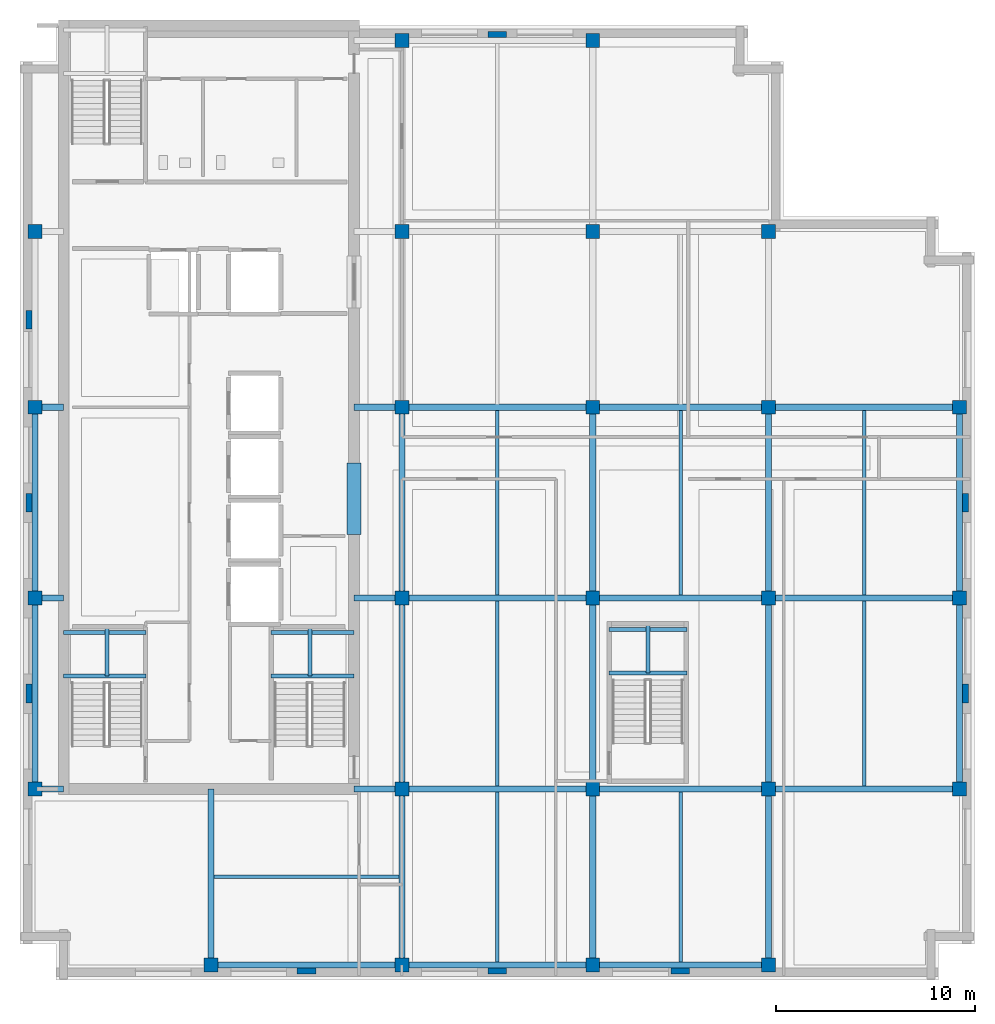
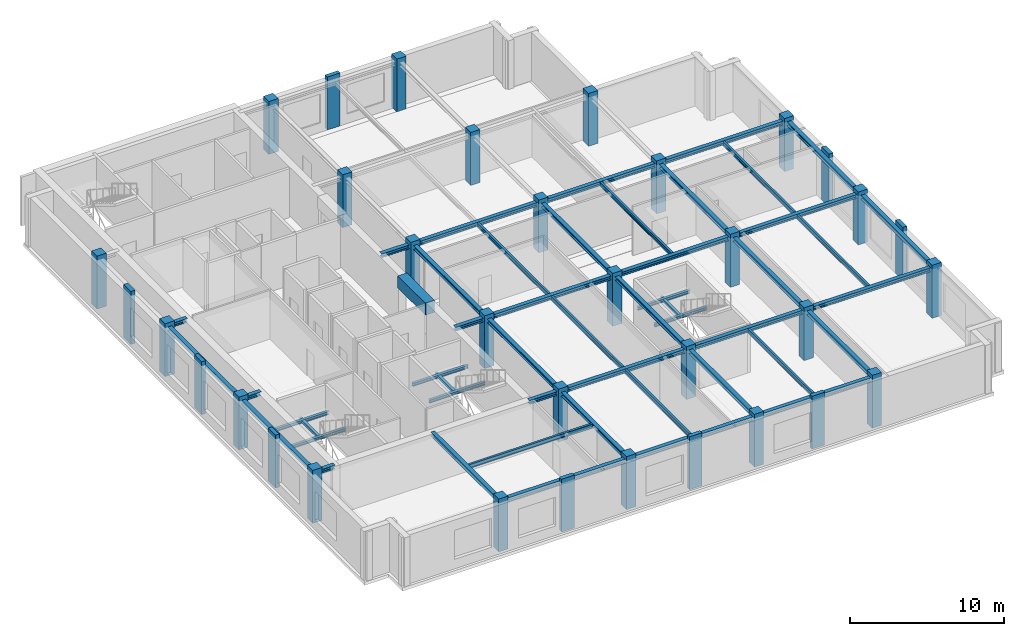
# One storey, part 1 of 10: 50 beams, 34 columns.
"""IFC4 building model written with IfcOpenShell, lengths in metres."""

from ifc_helpers import new_model, si_unit, direction, frame, origin, origin_2d, place, context, subcontext, project, spatial, rectangle, i_section, extrude, material, material_profile, profile_set, type_object, element, save


model = new_model("IFC4")

# Units and contexts
model_context = context("Model", 3, precision=1e-05, world=origin(), true_north=direction((0.0, 1.0)))
body_context = subcontext(model_context, "Body", "Model", "MODEL_VIEW")
ifc_project = project(units=[si_unit("LENGTHUNIT", "METRE"), si_unit("AREAUNIT", "SQUARE_METRE"), si_unit("VOLUMEUNIT", "CUBIC_METRE"), si_unit("PLANEANGLEUNIT", "RADIAN"), si_unit("MASSUNIT", "GRAM", prefix="KILO")], contexts=[model_context])

# Site, building, storey
site_placement = place(None, origin())
site = spatial("IfcSite", under=ifc_project, at=site_placement, CompositionType="ELEMENT")
building_placement = place(site_placement, origin())
building = spatial("IfcBuilding", under=site, at=building_placement, Name="Norrvale University Quadrangle", CompositionType="ELEMENT")
storey_placement = place(building_placement, frame((0.0, 0.0, 303.800048828125)))
storey = spatial("IfcBuildingStorey", under=building, at=storey_placement, Name="L77", CompositionType="ELEMENT", Elevation=303.800048828125)

# Columns
ifc_material_1 = material(Name="Red Manganese Brick Concrete C60/75", Category="concrete")
ifc_material_profile_1 = material_profile(ifc_material_1, rectangle(XDim=0.949951171875, YDim=0.300048828125, at=origin_2d()), Name="Red Manganese Brick Concrete C60/75")
ifc_profile_set_1 = profile_set([ifc_material_profile_1], Name="Red Manganese Brick Concrete C60/75")
column_type_1 = type_object("IfcColumnType", Name="Column Brick Pier 950x300", PredefinedType="PILASTER", material=ifc_profile_set_1)
for number, where, z_axis, x_axis, name in (
    (1, (0.449951171875, 14.39990234375, 0.0), (0.0, 0.0, 1.0), (0.0, 1.0, 0.0), "Exterior Brick Facade Pilaster L77-01"),
    (2, (0.449951171875, 24.0, 0.0), (0.0, 0.0, 1.0), (0.0, 1.0, 0.0), "Exterior Brick Facade Pilaster L77-02"),
    (3, (0.449951171875, 33.199951171875, 0.0), (0.0, 0.0, 1.0), (0.0, 1.0, 0.0), "Exterior Brick Facade Pilaster L77-03"),
    (4, (14.39990234375, 0.449951171875, 0.0), (0.0, 0.0, 1.0), (1.0, 0.0, 0.0), "Exterior Brick Facade Pilaster L77-04"),
    (5, (24.0, 0.449951171875, 0.0), (0.0, 0.0, 1.0), (1.0, 0.0, 0.0), "Exterior Brick Facade Pilaster L77-05"),
    (6, (33.199951171875, 0.449951171875, 0.0), (0.0, 0.0, 1.0), (1.0, 0.0, 0.0), "Exterior Brick Facade Pilaster L77-06"),
    (7, (47.550048828125, 14.39990234375, 0.0), (0.0, 0.0, 1.0), (0.0, 1.0, 0.0), "Exterior Brick Facade Pilaster L77-07"),
    (8, (47.550048828125, 24.0, 0.0), (0.0, 0.0, 1.0), (0.0, 1.0, 0.0), "Exterior Brick Facade Pilaster L77-08"),
    (9, (24.0, 47.550048828125, 0.0), (0.0, 0.0, 1.0), (1.0, 0.0, 0.0), "Exterior Brick Facade Pilaster L77-09"),
):
    element("IfcColumn", number, at=place(storey_placement, frame(where, z_axis=z_axis, x_axis=x_axis)), inside=storey, type_object=column_type_1, Name=name, PredefinedType="PILASTER", context=body_context, shape_type="SweptSolid", body=[
        extrude(rectangle(XDim=0.949951171875, YDim=0.300048828125, at=origin_2d()), origin(), (0.0, 0.0, 1.0), 4.199951171875),
    ])
ifc_material_2 = material(Name="Concrete C60/75", Category="concrete")
ifc_material_profile_2 = material_profile(ifc_material_2, rectangle(XDim=0.699951171875, YDim=0.699951171875, at=origin_2d()), Name="Concrete C60/75")
ifc_profile_set_2 = profile_set([ifc_material_profile_2], Name="Concrete C60/75")
column_type_2 = type_object("IfcColumnType", Name="Column Tower Z4 700x700", PredefinedType="COLUMN", material=ifc_profile_set_2)
for number, where, z_axis, x_axis, name in (
    (10, (0.75, 9.60009765625, 0.0), (0.0, 0.0, 1.0), (1.0, 0.0, 0.0), "Tower Column L77-T01"),
    (11, (0.75, 19.199951171875, 0.0), (0.0, 0.0, 1.0), (1.0, 0.0, 0.0), "Tower Column L77-T02"),
    (12, (0.75, 28.800048828125, 0.0), (0.0, 0.0, 1.0), (1.0, 0.0, 0.0), "Tower Column L77-T03"),
    (13, (0.75, 37.64990234375, 0.0), (0.0, 0.0, 1.0), (1.0, 0.0, 0.0), "Tower Column L77-T04"),
    (14, (9.60009765625, 0.75, 0.0), (0.0, 0.0, 1.0), (1.0, 0.0, 0.0), "Tower Column L77-T05"),
    (15, (19.199951171875, 0.75, 0.0), (0.0, 0.0, 1.0), (1.0, 0.0, 0.0), "Tower Column L77-T06"),
    (16, (19.199951171875, 9.60009765625, 0.0), (0.0, 0.0, 1.0), (1.0, 0.0, 0.0), "Tower Column L77-T07"),
    (17, (19.199951171875, 19.199951171875, 0.0), (0.0, 0.0, 1.0), (1.0, 0.0, 0.0), "Tower Column L77-T08"),
    (18, (19.199951171875, 28.800048828125, 0.0), (0.0, 0.0, 1.0), (1.0, 0.0, 0.0), "Tower Column L77-T09"),
    (19, (19.199951171875, 37.64990234375, 0.0), (0.0, 0.0, 1.0), (1.0, 0.0, 0.0), "Tower Column L77-T10"),
    (20, (19.199951171875, 47.25, 0.0), (0.0, 0.0, 1.0), (1.0, 0.0, 0.0), "Tower Column L77-T11"),
    (21, (28.800048828125, 0.75, 0.0), (0.0, 0.0, 1.0), (1.0, 0.0, 0.0), "Tower Column L77-T12"),
    (22, (28.800048828125, 9.60009765625, 0.0), (0.0, 0.0, 1.0), (1.0, 0.0, 0.0), "Tower Column L77-T13"),
    (23, (28.800048828125, 19.199951171875, 0.0), (0.0, 0.0, 1.0), (1.0, 0.0, 0.0), "Tower Column L77-T14"),
    (24, (28.800048828125, 28.800048828125, 0.0), (0.0, 0.0, 1.0), (1.0, 0.0, 0.0), "Tower Column L77-T15"),
    (25, (28.800048828125, 37.64990234375, 0.0), (0.0, 0.0, 1.0), (1.0, 0.0, 0.0), "Tower Column L77-T16"),
    (26, (28.800048828125, 47.25, 0.0), (0.0, 0.0, 1.0), (1.0, 0.0, 0.0), "Tower Column L77-T17"),
    (27, (37.64990234375, 0.75, 0.0), (0.0, 0.0, 1.0), (1.0, 0.0, 0.0), "Tower Column L77-T18"),
    (28, (37.64990234375, 9.60009765625, 0.0), (0.0, 0.0, 1.0), (1.0, 0.0, 0.0), "Tower Column L77-T19"),
    (29, (37.64990234375, 19.199951171875, 0.0), (0.0, 0.0, 1.0), (1.0, 0.0, 0.0), "Tower Column L77-T20"),
    (30, (37.64990234375, 28.800048828125, 0.0), (0.0, 0.0, 1.0), (1.0, 0.0, 0.0), "Tower Column L77-T21"),
    (31, (37.64990234375, 37.64990234375, 0.0), (0.0, 0.0, 1.0), (1.0, 0.0, 0.0), "Tower Column L77-T22"),
    (32, (47.25, 9.60009765625, 0.0), (0.0, 0.0, 1.0), (1.0, 0.0, 0.0), "Tower Column L77-T23"),
    (33, (47.25, 19.199951171875, 0.0), (0.0, 0.0, 1.0), (1.0, 0.0, 0.0), "Tower Column L77-T24"),
    (34, (47.25, 28.800048828125, 0.0), (0.0, 0.0, 1.0), (1.0, 0.0, 0.0), "Tower Column L77-T25"),
):
    element("IfcColumn", number, at=place(storey_placement, frame(where, z_axis=z_axis, x_axis=x_axis)), inside=storey, type_object=column_type_2, Name=name, PredefinedType="COLUMN", context=body_context, shape_type="SweptSolid", body=[
        extrude(rectangle(XDim=0.699951171875, YDim=0.699951171875, at=origin_2d()), origin(), (0.0, 0.0, 1.0), 4.199951171875),
    ])

# Beams
ifc_material_3 = material(Name="Steel 350W", Category="steel")
ifc_material_profile_3 = material_profile(ifc_material_3, i_section(OverallWidth=0.1669921875, OverallDepth=0.31689453125, WebThickness=0.007568359375, FlangeThickness=0.01318359375, FilletRadius=0.010009765625, at=origin_2d()), Name="Steel 350W")
ifc_profile_set_3 = profile_set([ifc_material_profile_3], Name="Steel 350W")
beam_type_1 = type_object("IfcBeamType", Name="Beam Canopy Purlin W310x52", PredefinedType="USERDEFINED", material=ifc_profile_set_3)
beam_1_placement = place(storey_placement, frame((24.0, 0.902587890625, 3.721435546875), z_axis=(0.0, 1.0, 0.0), x_axis=(-1.0, 0.0, 0.0)))
element("IfcBeam", 35, at=beam_1_placement, inside=storey, type_object=beam_type_1, Name="Beam Canopy Purlin W310x52 BM-L77-J044", ObjectType="PURLIN", PredefinedType="USERDEFINED", context=body_context, shape_type="SweptSolid", body=[
    extrude(i_section(OverallWidth=0.1669921875, OverallDepth=0.31689453125, WebThickness=0.007568359375, FlangeThickness=0.01318359375, FilletRadius=0.010009765625, at=origin_2d()), origin(), (0.0, 0.0, 1.0), 8.544921875),
])
beam_2_placement = place(storey_placement, frame((24.0, 9.75244140625, 3.721435546875), z_axis=(0.0, 1.0, 0.0), x_axis=(-1.0, 0.0, 0.0)))
element("IfcBeam", 36, at=beam_2_placement, inside=storey, type_object=beam_type_1, Name="Beam Canopy Purlin W310x52 BM-L77-J045", ObjectType="PURLIN", PredefinedType="USERDEFINED", context=body_context, shape_type="SweptSolid", body=[
    extrude(i_section(OverallWidth=0.1669921875, OverallDepth=0.31689453125, WebThickness=0.007568359375, FlangeThickness=0.01318359375, FilletRadius=0.010009765625, at=origin_2d()), origin(), (0.0, 0.0, 1.0), 9.295166015625),
])
beam_3_placement = place(storey_placement, frame((24.0, 19.3525390625, 3.721435546875), z_axis=(0.0, 1.0, 0.0), x_axis=(-1.0, 0.0, 0.0)))
element("IfcBeam", 37, at=beam_3_placement, inside=storey, type_object=beam_type_1, Name="Beam Canopy Purlin W310x52 BM-L77-J046", ObjectType="PURLIN", PredefinedType="USERDEFINED", context=body_context, shape_type="SweptSolid", body=[
    extrude(i_section(OverallWidth=0.1669921875, OverallDepth=0.31689453125, WebThickness=0.007568359375, FlangeThickness=0.01318359375, FilletRadius=0.010009765625, at=origin_2d()), origin(), (0.0, 0.0, 1.0), 9.294921875),
])
beam_4_placement = place(storey_placement, frame((33.22509765625, 0.902587890625, 3.721435546875), z_axis=(0.0, 1.0, 0.0), x_axis=(-1.0, 0.0, 0.0)))
element("IfcBeam", 38, at=beam_4_placement, inside=storey, type_object=beam_type_1, Name="Beam Canopy Purlin W310x52 BM-L77-J049", ObjectType="PURLIN", PredefinedType="USERDEFINED", context=body_context, shape_type="SweptSolid", body=[
    extrude(i_section(OverallWidth=0.1669921875, OverallDepth=0.31689453125, WebThickness=0.007568359375, FlangeThickness=0.01318359375, FilletRadius=0.010009765625, at=origin_2d()), origin(), (0.0, 0.0, 1.0), 8.544921875),
])
beam_5_placement = place(storey_placement, frame((33.22509765625, 19.3525390625, 3.721435546875), z_axis=(0.0, 1.0, 0.0), x_axis=(-1.0, 0.0, 0.0)))
element("IfcBeam", 39, at=beam_5_placement, inside=storey, type_object=beam_type_1, Name="Beam Canopy Purlin W310x52 BM-L77-J050", ObjectType="PURLIN", PredefinedType="USERDEFINED", context=body_context, shape_type="SweptSolid", body=[
    extrude(i_section(OverallWidth=0.1669921875, OverallDepth=0.31689453125, WebThickness=0.007568359375, FlangeThickness=0.01318359375, FilletRadius=0.010009765625, at=origin_2d()), origin(), (0.0, 0.0, 1.0), 9.294921875),
])
beam_6_placement = place(storey_placement, frame((42.449951171875, 9.75244140625, 3.721435546875), z_axis=(0.0, 1.0, 0.0), x_axis=(-1.0, 0.0, 0.0)))
element("IfcBeam", 40, at=beam_6_placement, inside=storey, type_object=beam_type_1, Name="Beam Canopy Purlin W310x52 BM-L77-J052", ObjectType="PURLIN", PredefinedType="USERDEFINED", context=body_context, shape_type="SweptSolid", body=[
    extrude(i_section(OverallWidth=0.1669921875, OverallDepth=0.31689453125, WebThickness=0.007568359375, FlangeThickness=0.01318359375, FilletRadius=0.010009765625, at=origin_2d()), origin(), (0.0, 0.0, 1.0), 9.295166015625),
])
beam_7_placement = place(storey_placement, frame((42.449951171875, 19.3525390625, 3.721435546875), z_axis=(0.0, 1.0, 0.0), x_axis=(-1.0, 0.0, 0.0)))
element("IfcBeam", 41, at=beam_7_placement, inside=storey, type_object=beam_type_1, Name="Beam Canopy Purlin W310x52 BM-L77-J053", ObjectType="PURLIN", PredefinedType="USERDEFINED", context=body_context, shape_type="SweptSolid", body=[
    extrude(i_section(OverallWidth=0.1669921875, OverallDepth=0.31689453125, WebThickness=0.007568359375, FlangeThickness=0.01318359375, FilletRadius=0.010009765625, at=origin_2d()), origin(), (0.0, 0.0, 1.0), 9.294921875),
])
beam_8_placement = place(storey_placement, frame((9.75244140625, 5.199951171875, 3.721435546875), z_axis=(1.0, 0.0, 0.0), x_axis=(0.0, 1.0, 0.0)))
element("IfcBeam", 42, at=beam_8_placement, inside=storey, type_object=beam_type_1, Name="Beam Canopy Purlin W310x52 BM-L77-JCS055", ObjectType="PURLIN", PredefinedType="USERDEFINED", context=body_context, shape_type="SweptSolid", body=[
    extrude(i_section(OverallWidth=0.1669921875, OverallDepth=0.31689453125, WebThickness=0.007568359375, FlangeThickness=0.01318359375, FilletRadius=0.010009765625, at=origin_2d()), origin(), (0.0, 0.0, 1.0), 9.295166015625),
])
ifc_material_profile_4 = material_profile(ifc_material_3, i_section(OverallWidth=0.304931640625, OverallDepth=0.30810546875, WebThickness=0.010009765625, FlangeThickness=0.015380859375, FilletRadius=0.014892578125, at=origin_2d()), Name="Steel 350W")
ifc_profile_set_4 = profile_set([ifc_material_profile_4], Name="Steel 350W")
beam_type_2 = type_object("IfcBeamType", Name="Beam Canopy W310x97", PredefinedType="BEAM", material=ifc_profile_set_4)
beam_9_placement = place(storey_placement, frame((9.60009765625, 0.75, 3.725830078125), z_axis=(1.0, 0.0, 0.0), x_axis=(0.0, 1.0, 0.0)))
element("IfcBeam", 43, at=beam_9_placement, inside=storey, type_object=beam_type_2, Name="Beam Canopy W310x97 BM-L77-GX001", PredefinedType="BEAM", context=body_context, shape_type="SweptSolid", body=[
    extrude(i_section(OverallWidth=0.304931640625, OverallDepth=0.30810546875, WebThickness=0.010009765625, FlangeThickness=0.015380859375, FilletRadius=0.014892578125, at=origin_2d()), origin(), (0.0, 0.0, 1.0), 9.599853515625),
])
beam_10_placement = place(storey_placement, frame((19.199951171875, 0.75, 3.725830078125), z_axis=(1.0, 0.0, 0.0), x_axis=(0.0, 1.0, 0.0)))
element("IfcBeam", 44, at=beam_10_placement, inside=storey, type_object=beam_type_2, Name="Beam Canopy W310x97 BM-L77-GX002", PredefinedType="BEAM", context=body_context, shape_type="SweptSolid", body=[
    extrude(i_section(OverallWidth=0.304931640625, OverallDepth=0.30810546875, WebThickness=0.010009765625, FlangeThickness=0.015380859375, FilletRadius=0.014892578125, at=origin_2d()), origin(), (0.0, 0.0, 1.0), 9.60009765625),
])
beam_11_placement = place(storey_placement, frame((28.800048828125, 0.75, 3.725830078125), z_axis=(1.0, 0.0, 0.0), x_axis=(0.0, 1.0, 0.0)))
element("IfcBeam", 45, at=beam_11_placement, inside=storey, type_object=beam_type_2, Name="Beam Canopy W310x97 BM-L77-GX003", PredefinedType="BEAM", context=body_context, shape_type="SweptSolid", body=[
    extrude(i_section(OverallWidth=0.304931640625, OverallDepth=0.30810546875, WebThickness=0.010009765625, FlangeThickness=0.015380859375, FilletRadius=0.014892578125, at=origin_2d()), origin(), (0.0, 0.0, 1.0), 8.849853515625),
])
beam_12_placement = place(storey_placement, frame((19.199951171875, 9.60009765625, 3.725830078125), z_axis=(1.0, 0.0, 0.0), x_axis=(0.0, 1.0, 0.0)))
element("IfcBeam", 46, at=beam_12_placement, inside=storey, type_object=beam_type_2, Name="Beam Canopy W310x97 BM-L77-GX004", PredefinedType="BEAM", context=body_context, shape_type="SweptSolid", body=[
    extrude(i_section(OverallWidth=0.304931640625, OverallDepth=0.30810546875, WebThickness=0.010009765625, FlangeThickness=0.015380859375, FilletRadius=0.014892578125, at=origin_2d()), origin(), (0.0, 0.0, 1.0), 9.60009765625),
])
beam_13_placement = place(storey_placement, frame((28.800048828125, 9.60009765625, 3.725830078125), z_axis=(1.0, 0.0, 0.0), x_axis=(0.0, 1.0, 0.0)))
element("IfcBeam", 47, at=beam_13_placement, inside=storey, type_object=beam_type_2, Name="Beam Canopy W310x97 BM-L77-GX005", PredefinedType="BEAM", context=body_context, shape_type="SweptSolid", body=[
    extrude(i_section(OverallWidth=0.304931640625, OverallDepth=0.30810546875, WebThickness=0.010009765625, FlangeThickness=0.015380859375, FilletRadius=0.014892578125, at=origin_2d()), origin(), (0.0, 0.0, 1.0), 8.849853515625),
])
for number, where, z_axis, x_axis, name in (
    (48, (37.64990234375, 9.60009765625, 3.725830078125), (1.0, 0.0, 0.0), (0.0, 1.0, 0.0), "Beam Canopy W310x97 BM-L77-GX006"),
    (49, (19.199951171875, 19.199951171875, 3.725830078125), (1.0, 0.0, 0.0), (0.0, 1.0, 0.0), "Beam Canopy W310x97 BM-L77-GX007"),
):
    element("IfcBeam", number, at=place(storey_placement, frame(where, z_axis=z_axis, x_axis=x_axis)), inside=storey, type_object=beam_type_2, Name=name, PredefinedType="BEAM", context=body_context, shape_type="SweptSolid", body=[
        extrude(i_section(OverallWidth=0.304931640625, OverallDepth=0.30810546875, WebThickness=0.010009765625, FlangeThickness=0.015380859375, FilletRadius=0.014892578125, at=origin_2d()), origin(), (0.0, 0.0, 1.0), 9.60009765625),
    ])
beam_14_placement = place(storey_placement, frame((28.800048828125, 19.199951171875, 3.725830078125), z_axis=(1.0, 0.0, 0.0), x_axis=(0.0, 1.0, 0.0)))
element("IfcBeam", 50, at=beam_14_placement, inside=storey, type_object=beam_type_2, Name="Beam Canopy W310x97 BM-L77-GX008", PredefinedType="BEAM", context=body_context, shape_type="SweptSolid", body=[
    extrude(i_section(OverallWidth=0.304931640625, OverallDepth=0.30810546875, WebThickness=0.010009765625, FlangeThickness=0.015380859375, FilletRadius=0.014892578125, at=origin_2d()), origin(), (0.0, 0.0, 1.0), 8.849853515625),
])
for number, where, z_axis, x_axis, name in (
    (51, (37.64990234375, 19.199951171875, 3.725830078125), (1.0, 0.0, 0.0), (0.0, 1.0, 0.0), "Beam Canopy W310x97 BM-L77-GX009"),
    (52, (19.199951171875, 28.800048828125, 3.725830078125), (1.0, 0.0, 0.0), (0.0, 1.0, 0.0), "Beam Canopy W310x97 BM-L77-GX010"),
):
    element("IfcBeam", number, at=place(storey_placement, frame(where, z_axis=z_axis, x_axis=x_axis)), inside=storey, type_object=beam_type_2, Name=name, PredefinedType="BEAM", context=body_context, shape_type="SweptSolid", body=[
        extrude(i_section(OverallWidth=0.304931640625, OverallDepth=0.30810546875, WebThickness=0.010009765625, FlangeThickness=0.015380859375, FilletRadius=0.014892578125, at=origin_2d()), origin(), (0.0, 0.0, 1.0), 9.60009765625),
    ])
beam_15_placement = place(storey_placement, frame((28.800048828125, 28.800048828125, 3.725830078125), z_axis=(1.0, 0.0, 0.0), x_axis=(0.0, 1.0, 0.0)))
element("IfcBeam", 53, at=beam_15_placement, inside=storey, type_object=beam_type_2, Name="Beam Canopy W310x97 BM-L77-GX011", PredefinedType="BEAM", context=body_context, shape_type="SweptSolid", body=[
    extrude(i_section(OverallWidth=0.304931640625, OverallDepth=0.30810546875, WebThickness=0.010009765625, FlangeThickness=0.015380859375, FilletRadius=0.014892578125, at=origin_2d()), origin(), (0.0, 0.0, 1.0), 8.849853515625),
])
beam_16_placement = place(storey_placement, frame((37.64990234375, 28.800048828125, 3.725830078125), z_axis=(1.0, 0.0, 0.0), x_axis=(0.0, 1.0, 0.0)))
element("IfcBeam", 54, at=beam_16_placement, inside=storey, type_object=beam_type_2, Name="Beam Canopy W310x97 BM-L77-GX012", PredefinedType="BEAM", context=body_context, shape_type="SweptSolid", body=[
    extrude(i_section(OverallWidth=0.304931640625, OverallDepth=0.30810546875, WebThickness=0.010009765625, FlangeThickness=0.015380859375, FilletRadius=0.014892578125, at=origin_2d()), origin(), (0.0, 0.0, 1.0), 9.60009765625),
])
beam_17_placement = place(storey_placement, frame((0.75, 9.60009765625, 3.725830078125), z_axis=(0.0, 1.0, 0.0), x_axis=(-1.0, 0.0, 0.0)))
element("IfcBeam", 55, at=beam_17_placement, inside=storey, type_object=beam_type_2, Name="Beam Canopy W310x97 BM-L77-GY016", PredefinedType="BEAM", context=body_context, shape_type="SweptSolid", body=[
    extrude(i_section(OverallWidth=0.304931640625, OverallDepth=0.30810546875, WebThickness=0.010009765625, FlangeThickness=0.015380859375, FilletRadius=0.014892578125, at=origin_2d()), origin(), (0.0, 0.0, 1.0), 9.599853515625),
])
beam_18_placement = place(storey_placement, frame((0.75, 19.199951171875, 3.725830078125), z_axis=(0.0, 1.0, 0.0), x_axis=(-1.0, 0.0, 0.0)))
element("IfcBeam", 56, at=beam_18_placement, inside=storey, type_object=beam_type_2, Name="Beam Canopy W310x97 BM-L77-GY017", PredefinedType="BEAM", context=body_context, shape_type="SweptSolid", body=[
    extrude(i_section(OverallWidth=0.304931640625, OverallDepth=0.30810546875, WebThickness=0.010009765625, FlangeThickness=0.015380859375, FilletRadius=0.014892578125, at=origin_2d()), origin(), (0.0, 0.0, 1.0), 9.60009765625),
])
beam_19_placement = place(storey_placement, frame((19.199951171875, 0.75, 3.725830078125), z_axis=(0.0, 1.0, 0.0), x_axis=(-1.0, 0.0, 0.0)))
element("IfcBeam", 57, at=beam_19_placement, inside=storey, type_object=beam_type_2, Name="Beam Canopy W310x97 BM-L77-GY019", PredefinedType="BEAM", context=body_context, shape_type="SweptSolid", body=[
    extrude(i_section(OverallWidth=0.304931640625, OverallDepth=0.30810546875, WebThickness=0.010009765625, FlangeThickness=0.015380859375, FilletRadius=0.014892578125, at=origin_2d()), origin(), (0.0, 0.0, 1.0), 8.85009765625),
])
beam_20_placement = place(storey_placement, frame((19.199951171875, 9.60009765625, 3.725830078125), z_axis=(0.0, 1.0, 0.0), x_axis=(-1.0, 0.0, 0.0)))
element("IfcBeam", 58, at=beam_20_placement, inside=storey, type_object=beam_type_2, Name="Beam Canopy W310x97 BM-L77-GY020", PredefinedType="BEAM", context=body_context, shape_type="SweptSolid", body=[
    extrude(i_section(OverallWidth=0.304931640625, OverallDepth=0.30810546875, WebThickness=0.010009765625, FlangeThickness=0.015380859375, FilletRadius=0.014892578125, at=origin_2d()), origin(), (0.0, 0.0, 1.0), 9.599853515625),
])
beam_21_placement = place(storey_placement, frame((19.199951171875, 19.199951171875, 3.725830078125), z_axis=(0.0, 1.0, 0.0), x_axis=(-1.0, 0.0, 0.0)))
element("IfcBeam", 59, at=beam_21_placement, inside=storey, type_object=beam_type_2, Name="Beam Canopy W310x97 BM-L77-GY021", PredefinedType="BEAM", context=body_context, shape_type="SweptSolid", body=[
    extrude(i_section(OverallWidth=0.304931640625, OverallDepth=0.30810546875, WebThickness=0.010009765625, FlangeThickness=0.015380859375, FilletRadius=0.014892578125, at=origin_2d()), origin(), (0.0, 0.0, 1.0), 9.60009765625),
])
beam_22_placement = place(storey_placement, frame((28.800048828125, 0.75, 3.725830078125), z_axis=(0.0, 1.0, 0.0), x_axis=(-1.0, 0.0, 0.0)))
element("IfcBeam", 60, at=beam_22_placement, inside=storey, type_object=beam_type_2, Name="Beam Canopy W310x97 BM-L77-GY024", PredefinedType="BEAM", context=body_context, shape_type="SweptSolid", body=[
    extrude(i_section(OverallWidth=0.304931640625, OverallDepth=0.30810546875, WebThickness=0.010009765625, FlangeThickness=0.015380859375, FilletRadius=0.014892578125, at=origin_2d()), origin(), (0.0, 0.0, 1.0), 8.85009765625),
])
beam_23_placement = place(storey_placement, frame((28.800048828125, 9.60009765625, 3.725830078125), z_axis=(0.0, 1.0, 0.0), x_axis=(-1.0, 0.0, 0.0)))
element("IfcBeam", 61, at=beam_23_placement, inside=storey, type_object=beam_type_2, Name="Beam Canopy W310x97 BM-L77-GY025", PredefinedType="BEAM", context=body_context, shape_type="SweptSolid", body=[
    extrude(i_section(OverallWidth=0.304931640625, OverallDepth=0.30810546875, WebThickness=0.010009765625, FlangeThickness=0.015380859375, FilletRadius=0.014892578125, at=origin_2d()), origin(), (0.0, 0.0, 1.0), 9.599853515625),
])
beam_24_placement = place(storey_placement, frame((28.800048828125, 19.199951171875, 3.725830078125), z_axis=(0.0, 1.0, 0.0), x_axis=(-1.0, 0.0, 0.0)))
element("IfcBeam", 62, at=beam_24_placement, inside=storey, type_object=beam_type_2, Name="Beam Canopy W310x97 BM-L77-GY026", PredefinedType="BEAM", context=body_context, shape_type="SweptSolid", body=[
    extrude(i_section(OverallWidth=0.304931640625, OverallDepth=0.30810546875, WebThickness=0.010009765625, FlangeThickness=0.015380859375, FilletRadius=0.014892578125, at=origin_2d()), origin(), (0.0, 0.0, 1.0), 9.60009765625),
])
beam_25_placement = place(storey_placement, frame((37.64990234375, 0.75, 3.725830078125), z_axis=(0.0, 1.0, 0.0), x_axis=(-1.0, 0.0, 0.0)))
element("IfcBeam", 63, at=beam_25_placement, inside=storey, type_object=beam_type_2, Name="Beam Canopy W310x97 BM-L77-GY029", PredefinedType="BEAM", context=body_context, shape_type="SweptSolid", body=[
    extrude(i_section(OverallWidth=0.304931640625, OverallDepth=0.30810546875, WebThickness=0.010009765625, FlangeThickness=0.015380859375, FilletRadius=0.014892578125, at=origin_2d()), origin(), (0.0, 0.0, 1.0), 8.85009765625),
])
beam_26_placement = place(storey_placement, frame((37.64990234375, 9.60009765625, 3.725830078125), z_axis=(0.0, 1.0, 0.0), x_axis=(-1.0, 0.0, 0.0)))
element("IfcBeam", 64, at=beam_26_placement, inside=storey, type_object=beam_type_2, Name="Beam Canopy W310x97 BM-L77-GY030", PredefinedType="BEAM", context=body_context, shape_type="SweptSolid", body=[
    extrude(i_section(OverallWidth=0.304931640625, OverallDepth=0.30810546875, WebThickness=0.010009765625, FlangeThickness=0.015380859375, FilletRadius=0.014892578125, at=origin_2d()), origin(), (0.0, 0.0, 1.0), 9.599853515625),
])
beam_27_placement = place(storey_placement, frame((37.64990234375, 19.199951171875, 3.725830078125), z_axis=(0.0, 1.0, 0.0), x_axis=(-1.0, 0.0, 0.0)))
element("IfcBeam", 65, at=beam_27_placement, inside=storey, type_object=beam_type_2, Name="Beam Canopy W310x97 BM-L77-GY031", PredefinedType="BEAM", context=body_context, shape_type="SweptSolid", body=[
    extrude(i_section(OverallWidth=0.304931640625, OverallDepth=0.30810546875, WebThickness=0.010009765625, FlangeThickness=0.015380859375, FilletRadius=0.014892578125, at=origin_2d()), origin(), (0.0, 0.0, 1.0), 9.60009765625),
])
beam_28_placement = place(storey_placement, frame((47.25, 9.60009765625, 3.725830078125), z_axis=(0.0, 1.0, 0.0), x_axis=(-1.0, 0.0, 0.0)))
element("IfcBeam", 66, at=beam_28_placement, inside=storey, type_object=beam_type_2, Name="Beam Canopy W310x97 BM-L77-GY033", PredefinedType="BEAM", context=body_context, shape_type="SweptSolid", body=[
    extrude(i_section(OverallWidth=0.304931640625, OverallDepth=0.30810546875, WebThickness=0.010009765625, FlangeThickness=0.015380859375, FilletRadius=0.014892578125, at=origin_2d()), origin(), (0.0, 0.0, 1.0), 9.599853515625),
])
beam_29_placement = place(storey_placement, frame((47.25, 19.199951171875, 3.725830078125), z_axis=(0.0, 1.0, 0.0), x_axis=(-1.0, 0.0, 0.0)))
element("IfcBeam", 67, at=beam_29_placement, inside=storey, type_object=beam_type_2, Name="Beam Canopy W310x97 BM-L77-GY034", PredefinedType="BEAM", context=body_context, shape_type="SweptSolid", body=[
    extrude(i_section(OverallWidth=0.304931640625, OverallDepth=0.30810546875, WebThickness=0.010009765625, FlangeThickness=0.015380859375, FilletRadius=0.014892578125, at=origin_2d()), origin(), (0.0, 0.0, 1.0), 9.60009765625),
])
beam_30_placement = place(storey_placement, frame((0.75, 9.60009765625, 3.725830078125), z_axis=(1.0, 0.0, 0.0), x_axis=(0.0, 1.0, 0.0)))
element("IfcBeam", 68, at=beam_30_placement, inside=storey, type_object=beam_type_2, Name="Beam Canopy W310x97 BM-L77-GCW035", PredefinedType="BEAM", context=body_context, shape_type="SweptSolid", body=[
    extrude(i_section(OverallWidth=0.304931640625, OverallDepth=0.30810546875, WebThickness=0.010009765625, FlangeThickness=0.015380859375, FilletRadius=0.014892578125, at=origin_2d()), origin(), (0.0, 0.0, 1.0), 1.449951171875),
])
beam_31_placement = place(storey_placement, frame((16.800048828125, 9.60009765625, 3.725830078125), z_axis=(1.0, 0.0, 0.0), x_axis=(0.0, 1.0, 0.0)))
element("IfcBeam", 69, at=beam_31_placement, inside=storey, type_object=beam_type_2, Name="Beam Canopy W310x97 BM-L77-GCE036", PredefinedType="BEAM", context=body_context, shape_type="SweptSolid", body=[
    extrude(i_section(OverallWidth=0.304931640625, OverallDepth=0.30810546875, WebThickness=0.010009765625, FlangeThickness=0.015380859375, FilletRadius=0.014892578125, at=origin_2d()), origin(), (0.0, 0.0, 1.0), 2.39990234375),
])
beam_32_placement = place(storey_placement, frame((0.75, 19.199951171875, 3.725830078125), z_axis=(1.0, 0.0, 0.0), x_axis=(0.0, 1.0, 0.0)))
element("IfcBeam", 70, at=beam_32_placement, inside=storey, type_object=beam_type_2, Name="Beam Canopy W310x97 BM-L77-GCW037", PredefinedType="BEAM", context=body_context, shape_type="SweptSolid", body=[
    extrude(i_section(OverallWidth=0.304931640625, OverallDepth=0.30810546875, WebThickness=0.010009765625, FlangeThickness=0.015380859375, FilletRadius=0.014892578125, at=origin_2d()), origin(), (0.0, 0.0, 1.0), 1.449951171875),
])
beam_33_placement = place(storey_placement, frame((16.800048828125, 19.199951171875, 3.725830078125), z_axis=(1.0, 0.0, 0.0), x_axis=(0.0, 1.0, 0.0)))
element("IfcBeam", 71, at=beam_33_placement, inside=storey, type_object=beam_type_2, Name="Beam Canopy W310x97 BM-L77-GCE038", PredefinedType="BEAM", context=body_context, shape_type="SweptSolid", body=[
    extrude(i_section(OverallWidth=0.304931640625, OverallDepth=0.30810546875, WebThickness=0.010009765625, FlangeThickness=0.015380859375, FilletRadius=0.014892578125, at=origin_2d()), origin(), (0.0, 0.0, 1.0), 2.39990234375),
])
beam_34_placement = place(storey_placement, frame((0.75, 28.800048828125, 3.725830078125), z_axis=(1.0, 0.0, 0.0), x_axis=(0.0, 1.0, 0.0)))
element("IfcBeam", 72, at=beam_34_placement, inside=storey, type_object=beam_type_2, Name="Beam Canopy W310x97 BM-L77-GCW039", PredefinedType="BEAM", context=body_context, shape_type="SweptSolid", body=[
    extrude(i_section(OverallWidth=0.304931640625, OverallDepth=0.30810546875, WebThickness=0.010009765625, FlangeThickness=0.015380859375, FilletRadius=0.014892578125, at=origin_2d()), origin(), (0.0, 0.0, 1.0), 1.449951171875),
])
beam_35_placement = place(storey_placement, frame((16.800048828125, 28.800048828125, 3.725830078125), z_axis=(1.0, 0.0, 0.0), x_axis=(0.0, 1.0, 0.0)))
element("IfcBeam", 73, at=beam_35_placement, inside=storey, type_object=beam_type_2, Name="Beam Canopy W310x97 BM-L77-GCE040", PredefinedType="BEAM", context=body_context, shape_type="SweptSolid", body=[
    extrude(i_section(OverallWidth=0.304931640625, OverallDepth=0.30810546875, WebThickness=0.010009765625, FlangeThickness=0.015380859375, FilletRadius=0.014892578125, at=origin_2d()), origin(), (0.0, 0.0, 1.0), 2.39990234375),
])
beam_36_placement = place(storey_placement, frame((9.60009765625, 0.75, 3.725830078125), z_axis=(0.0, 1.0, 0.0), x_axis=(-1.0, 0.0, 0.0)))
element("IfcBeam", 74, at=beam_36_placement, inside=storey, type_object=beam_type_2, Name="Beam Canopy W310x97 BM-L77-GCS054", PredefinedType="BEAM", context=body_context, shape_type="SweptSolid", body=[
    extrude(i_section(OverallWidth=0.304931640625, OverallDepth=0.30810546875, WebThickness=0.010009765625, FlangeThickness=0.015380859375, FilletRadius=0.014892578125, at=origin_2d()), origin(), (0.0, 0.0, 1.0), 8.85009765625),
])
ifc_material_4 = material(Name="Concrete C80/95", Category="concrete")
ifc_material_profile_5 = material_profile(ifc_material_4, rectangle(XDim=0.699951171875, YDim=0.949951171875, at=origin_2d()), Name="Concrete C80/95")
ifc_profile_set_5 = profile_set([ifc_material_profile_5], Name="Concrete C80/95")
beam_type_3 = type_object("IfcBeamType", Name="Beam Core Link 700x950", PredefinedType="LINTEL", material=ifc_profile_set_5)
beam_37_placement = place(storey_placement, frame((16.800048828125, 22.39990234375, 3.405029296875), z_axis=(0.0, 1.0, 0.0), x_axis=(-1.0, 0.0, 0.0)))
element("IfcBeam", 75, at=beam_37_placement, inside=storey, type_object=beam_type_3, Name="Core Coupling Lintel Beam L77-1", PredefinedType="LINTEL", context=body_context, shape_type="SweptSolid", body=[
    extrude(rectangle(XDim=0.699951171875, YDim=0.949951171875, at=origin_2d()), origin(), (0.0, 0.0, 1.0), 3.60009765625),
])
ifc_material_profile_6 = material_profile(ifc_material_3, i_section(OverallWidth=0.201904296875, OverallDepth=0.2470703125, WebThickness=0.00732421875, FlangeThickness=0.010986328125, FilletRadius=0.011962890625, at=origin_2d()), Name="Steel 350W")
ifc_profile_set_6 = profile_set([ifc_material_profile_6], Name="Steel 350W")
beam_type_4 = type_object("IfcBeamType", Name="Beam Stair W250x49", PredefinedType="BEAM", material=ifc_profile_set_6)
for number, where, z_axis, x_axis, name in (
    (76, (2.199951171875, 15.280029296875, 1.7763671875), (1.0, 0.0, 0.0), (0.0, 1.0, 0.0), "Stair Mid-Landing Front Beam ST-01 L77"),
    (77, (2.199951171875, 17.469970703125, 1.7763671875), (1.0, 0.0, 0.0), (0.0, 1.0, 0.0), "Stair Mid-Landing Rear Beam ST-01 L77"),
):
    element("IfcBeam", number, at=place(storey_placement, frame(where, z_axis=z_axis, x_axis=x_axis)), inside=storey, type_object=beam_type_4, Name=name, PredefinedType="BEAM", context=body_context, shape_type="SweptSolid", body=[
        extrude(i_section(OverallWidth=0.201904296875, OverallDepth=0.2470703125, WebThickness=0.00732421875, FlangeThickness=0.010986328125, FilletRadius=0.011962890625, at=origin_2d()), origin(), (0.0, 0.0, 1.0), 4.14013671875),
    ])
for number, where, z_axis, x_axis, name in (
    (78, (12.610107421875, 15.280029296875, 1.7763671875), (1.0, 0.0, 0.0), (0.0, 1.0, 0.0), "Stair Mid-Landing Front Beam ST-03 L77"),
    (79, (12.610107421875, 17.469970703125, 1.7763671875), (1.0, 0.0, 0.0), (0.0, 1.0, 0.0), "Stair Mid-Landing Rear Beam ST-03 L77"),
):
    element("IfcBeam", number, at=place(storey_placement, frame(where, z_axis=z_axis, x_axis=x_axis)), inside=storey, type_object=beam_type_4, Name=name, PredefinedType="BEAM", context=body_context, shape_type="SweptSolid", body=[
        extrude(i_section(OverallWidth=0.201904296875, OverallDepth=0.2470703125, WebThickness=0.00732421875, FlangeThickness=0.010986328125, FilletRadius=0.011962890625, at=origin_2d()), origin(), (0.0, 0.0, 1.0), 4.18994140625),
    ])
for number, where, z_axis, x_axis, name in (
    (80, (29.610107421875, 15.429931640625, 1.7763671875), (1.0, 0.0, 0.0), (0.0, 1.0, 0.0), "Stair Mid-Landing Front Beam ST-04 L77"),
    (81, (29.610107421875, 17.6201171875, 1.7763671875), (1.0, 0.0, 0.0), (0.0, 1.0, 0.0), "Stair Mid-Landing Rear Beam ST-04 L77"),
):
    element("IfcBeam", number, at=place(storey_placement, frame(where, z_axis=z_axis, x_axis=x_axis)), inside=storey, type_object=beam_type_4, Name=name, PredefinedType="BEAM", context=body_context, shape_type="SweptSolid", body=[
        extrude(i_section(OverallWidth=0.201904296875, OverallDepth=0.2470703125, WebThickness=0.00732421875, FlangeThickness=0.010986328125, FilletRadius=0.011962890625, at=origin_2d()), origin(), (0.0, 0.0, 1.0), 3.929931640625),
    ])
ifc_material_profile_7 = material_profile(ifc_material_3, i_section(OverallWidth=0.202880859375, OverallDepth=0.202880859375, WebThickness=0.007080078125, FlangeThickness=0.010986328125, FilletRadius=0.010009765625, at=origin_2d()), Name="Steel 350W")
ifc_profile_set_7 = profile_set([ifc_material_profile_7], Name="Steel 350W")
beam_type_5 = type_object("IfcBeamType", Name="Beam Trim W200x46", PredefinedType="BEAM", material=ifc_profile_set_7)
for number, where, z_axis, x_axis, name in (
    (82, (4.375, 15.280029296875, 1.79833984375), (0.0, 1.0, 0.0), (-1.0, 0.0, 0.0), "Stair Mid-Landing Cross Beam ST-01 L77"),
    (83, (14.574951171875, 15.280029296875, 1.79833984375), (0.0, 1.0, 0.0), (-1.0, 0.0, 0.0), "Stair Mid-Landing Cross Beam ST-03 L77"),
    (84, (31.574951171875, 15.429931640625, 1.79833984375), (0.0, 1.0, 0.0), (-1.0, 0.0, 0.0), "Stair Mid-Landing Cross Beam ST-04 L77"),
):
    element("IfcBeam", number, at=place(storey_placement, frame(where, z_axis=z_axis, x_axis=x_axis)), inside=storey, type_object=beam_type_5, Name=name, PredefinedType="BEAM", context=body_context, shape_type="SweptSolid", body=[
        extrude(i_section(OverallWidth=0.202880859375, OverallDepth=0.202880859375, WebThickness=0.007080078125, FlangeThickness=0.010986328125, FilletRadius=0.010009765625, at=origin_2d()), origin(), (0.0, 0.0, 1.0), 2.510009765625),
    ])

save(model, "model.ifc")
